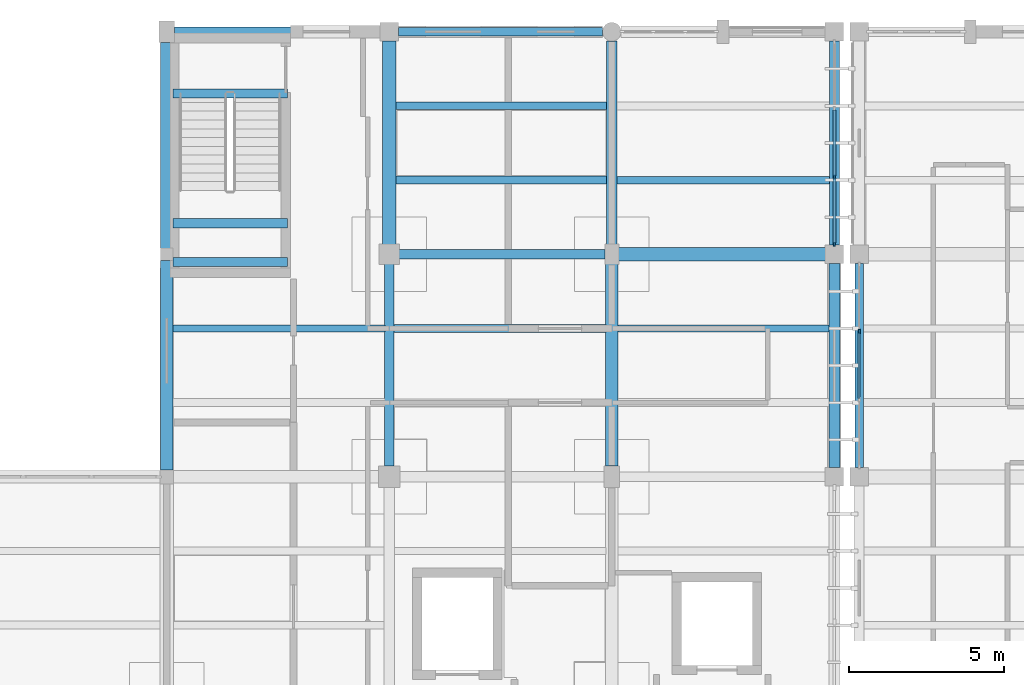
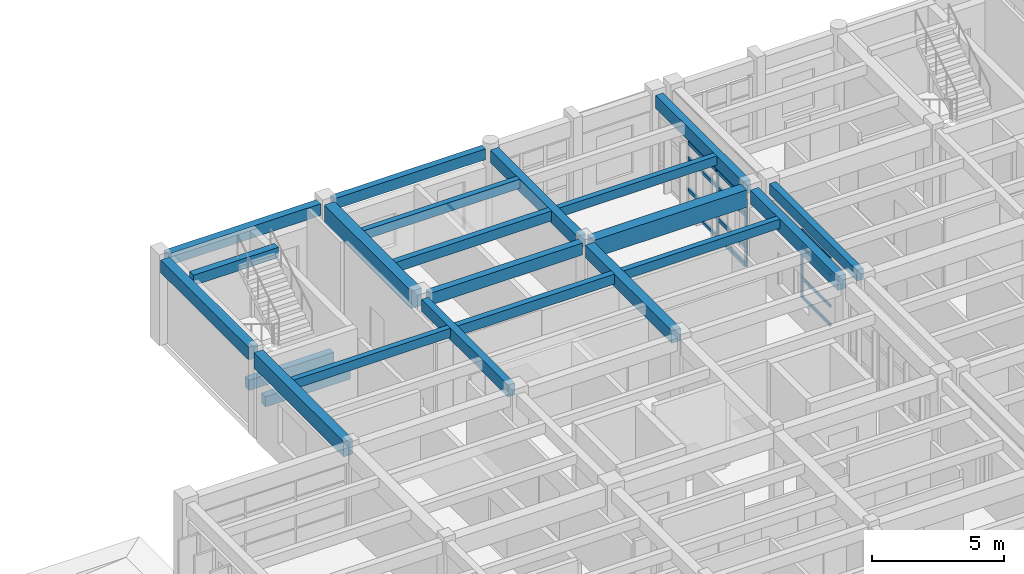
# One storey, part 22 of 100: 22 beams, 15 members, 2 elements without a shape of their own.
"""IFC4 building model written with IfcOpenShell, lengths in metres."""

from ifc_helpers import new_model, si_unit, direction, frame, origin, origin_2d, place, context, subcontext, project, spatial, rectangle, extrude, material, material_profile, profile_set, type_object, element, aggregate, save


model = new_model("IFC4")

# Units and contexts
model_context = context("Model", 3, precision=1e-05, world=origin(), true_north=direction((0.0, 1.0)))
body_context = subcontext(model_context, "Body", "Model", "MODEL_VIEW")
ifc_project = project(units=[si_unit("LENGTHUNIT", "METRE"), si_unit("AREAUNIT", "SQUARE_METRE"), si_unit("VOLUMEUNIT", "CUBIC_METRE"), si_unit("PLANEANGLEUNIT", "RADIAN"), si_unit("MASSUNIT", "GRAM", prefix="KILO")], contexts=[model_context])

# Site, building, storey
site_placement = place(None, origin())
site = spatial("IfcSite", under=ifc_project, at=site_placement, CompositionType="ELEMENT")
building_placement = place(site_placement, origin())
building = spatial("IfcBuilding", under=site, at=building_placement, Name="Steenspoor Specialist Clinic", CompositionType="ELEMENT")
storey_placement = place(building_placement, frame((0.0, 0.0, 9.0)))
storey = spatial("IfcBuildingStorey", under=building, at=storey_placement, Name="L02", CompositionType="ELEMENT", Elevation=9.0)

# Beams
ifc_material_1 = material(Name="Concrete C35/45", Category="concrete")
ifc_material_profile_1 = material_profile(ifc_material_1, rectangle(XDim=0.300048828125, YDim=0.47998046875, at=origin_2d()), Name="RC-BM-300X480")
ifc_profile_set_1 = profile_set([ifc_material_profile_1], Name="Concrete C35/45")
beam_type_1 = type_object("IfcBeamType", Name="BM-RC-300X480", PredefinedType="BEAM", material=ifc_profile_set_1)
for number, where, z_axis, x_axis, name in (
    (1, (30.199951171875, 102.14990234375, 1.659912109375), (1.0, 0.0, 0.0), (0.0, 1.0, 0.0), "Stair Mid-Landing Bearer 1 ST-V5A L02"),
    (2, (30.199951171875, 100.89990234375, 1.659912109375), (1.0, 0.0, 0.0), (0.0, 1.0, 0.0), "Stair Mid-Landing Bearer 2 ST-V5A L02"),
    (3, (30.199951171875, 106.35009765625, 3.9599609375), (1.0, 0.0, 0.0), (0.0, 1.0, 0.0), "Stair Well Trimmer Beam ST-V5A L02"),
):
    element("IfcBeam", number, at=place(storey_placement, frame(where, z_axis=z_axis, x_axis=x_axis)), inside=storey, type_object=beam_type_1, Name=name, PredefinedType="BEAM", context=body_context, shape_type="SweptSolid", body=[
        extrude(rectangle(XDim=0.300048828125, YDim=0.47998046875, at=origin_2d()), origin(), (0.0, 0.0, 1.0), 3.699951171875),
    ])
ifc_material_profile_2 = material_profile(ifc_material_1, rectangle(XDim=0.300048828125, YDim=0.550048828125, at=origin_2d()), Name="RC-BM-300X550")
ifc_profile_set_2 = profile_set([ifc_material_profile_2], Name="Concrete C35/45")
beam_type_2 = type_object("IfcBeamType", Name="BM-RC-300X550", PredefinedType="BEAM", material=ifc_profile_set_2)
beam_1_placement = place(storey_placement, frame((37.52001953125, 101.14990234375, 3.675048828125), z_axis=(1.0, 0.0, 0.0), x_axis=(0.0, 1.0, 0.0)))
element("IfcBeam", 4, at=beam_1_placement, inside=storey, type_object=beam_type_2, Name="BM-V5-L02-X1265", PredefinedType="BEAM", context=body_context, shape_type="SweptSolid", body=[
    extrude(rectangle(XDim=0.300048828125, YDim=0.550048828125, at=origin_2d()), origin(), (0.0, 0.0, 1.0), 6.659912109375),
])
beam_2_placement = place(storey_placement, frame((37.199951171875, 94.294921875, 3.675048828125), z_axis=(0.0, 1.0, 0.0), x_axis=(-1.0, 0.0, 0.0)))
element("IfcBeam", 5, at=beam_2_placement, inside=storey, type_object=beam_type_2, Name="BM-V5-L02-Y1284", PredefinedType="BEAM", context=body_context, shape_type="SweptSolid", body=[
    extrude(rectangle(XDim=0.300048828125, YDim=0.550048828125, at=origin_2d()), origin(), (0.0, 0.0, 1.0), 6.53515625),
])
ifc_material_profile_3 = material_profile(ifc_material_1, rectangle(XDim=0.35009765625, YDim=0.580078125, at=origin_2d()), Name="RC-BM-350X580")
ifc_profile_set_3 = profile_set([ifc_material_profile_3], Name="Concrete C35/45")
beam_type_3 = type_object("IfcBeamType", Name="BM-RC-350X580", PredefinedType="BEAM", material=ifc_profile_set_3)
beam_3_placement = place(storey_placement, frame((44.39990234375, 101.469970703125, 3.659912109375), z_axis=(0.0, 1.0, 0.0), x_axis=(-1.0, 0.0, 0.0)))
element("IfcBeam", 6, at=beam_3_placement, inside=storey, type_object=beam_type_3, Name="BM-V5-L02-Y1291", PredefinedType="BEAM", context=body_context, shape_type="SweptSolid", body=[
    extrude(rectangle(XDim=0.35009765625, YDim=0.580078125, at=origin_2d()), origin(), (0.0, 0.0, 1.0), 6.5849609375),
])
ifc_material_profile_4 = material_profile(ifc_material_1, rectangle(XDim=0.39990234375, YDim=0.580078125, at=origin_2d()), Name="RC-BM-400X580")
ifc_profile_set_4 = profile_set([ifc_material_profile_4], Name="Concrete C35/45")
beam_type_4 = type_object("IfcBeamType", Name="BM-RC-400X580", PredefinedType="BEAM", material=ifc_profile_set_4)
beam_4_placement = place(storey_placement, frame((30.0, 101.344970703125, 3.659912109375), z_axis=(0.0, 1.0, 0.0), x_axis=(-1.0, 0.0, 0.0)))
element("IfcBeam", 7, at=beam_4_placement, inside=storey, type_object=beam_type_4, Name="BM-V5-L02-Y1279", PredefinedType="BEAM", context=body_context, shape_type="SweptSolid", body=[
    extrude(rectangle(XDim=0.39990234375, YDim=0.580078125, at=origin_2d()), origin(), (0.0, 0.0, 1.0), 6.659912109375),
])
beam_5_placement = place(storey_placement, frame((44.39990234375, 94.294921875, 3.659912109375), z_axis=(0.0, 1.0, 0.0), x_axis=(-1.0, 0.0, 0.0)))
element("IfcBeam", 8, at=beam_5_placement, inside=storey, type_object=beam_type_4, Name="BM-V5-L02-Y1290", PredefinedType="BEAM", context=body_context, shape_type="SweptSolid", body=[
    extrude(rectangle(XDim=0.39990234375, YDim=0.580078125, at=origin_2d()), origin(), (0.0, 0.0, 1.0), 6.53515625),
])
ifc_material_profile_5 = material_profile(ifc_material_1, rectangle(XDim=0.39990234375, YDim=0.699951171875, at=origin_2d()), Name="RC-BM-400X700")
ifc_profile_set_5 = profile_set([ifc_material_profile_5], Name="Concrete C35/45")
beam_type_5 = type_object("IfcBeamType", Name="BM-RC-400X700", PredefinedType="BEAM", material=ifc_profile_set_5)
beam_6_placement = place(storey_placement, frame((30.0, 94.169921875, 3.60009765625), z_axis=(0.0, 1.0, 0.0), x_axis=(-1.0, 0.0, 0.0)))
element("IfcBeam", 9, at=beam_6_placement, inside=storey, type_object=beam_type_5, Name="BM-V5-L02-Y1278", PredefinedType="BEAM", context=body_context, shape_type="SweptSolid", body=[
    extrude(rectangle(XDim=0.39990234375, YDim=0.699951171875, at=origin_2d()), origin(), (0.0, 0.0, 1.0), 6.78515625),
])
ifc_material_profile_6 = material_profile(ifc_material_1, rectangle(XDim=0.449951171875, YDim=0.800048828125, at=origin_2d()), Name="RC-BM-450X800")
ifc_profile_set_6 = profile_set([ifc_material_profile_6], Name="Concrete C35/45")
beam_type_6 = type_object("IfcBeamType", Name="BM-RC-450X800", PredefinedType="BEAM", material=ifc_profile_set_6)
beam_7_placement = place(storey_placement, frame((44.6201171875, 101.14990234375, 3.550048828125), z_axis=(1.0, 0.0, 0.0), x_axis=(0.0, 1.0, 0.0)))
element("IfcBeam", 10, at=beam_7_placement, inside=storey, type_object=beam_type_6, Name="BM-V5-L02-X1266", PredefinedType="BEAM", context=body_context, shape_type="SweptSolid", body=[
    extrude(rectangle(XDim=0.449951171875, YDim=0.800048828125, at=origin_2d()), origin(), (0.0, 0.0, 1.0), 6.684814453125),
])
beam_8_placement = place(storey_placement, frame((37.199951171875, 101.469970703125, 3.550048828125), z_axis=(0.0, 1.0, 0.0), x_axis=(-1.0, 0.0, 0.0)))
element("IfcBeam", 11, at=beam_8_placement, inside=storey, type_object=beam_type_6, Name="BM-V5-L02-Y1285", PredefinedType="BEAM", context=body_context, shape_type="SweptSolid", body=[
    extrude(rectangle(XDim=0.449951171875, YDim=0.800048828125, at=origin_2d()), origin(), (0.0, 0.0, 1.0), 6.5849609375),
])

# Curtain wall, member
ifc_material_2 = material(Name="Thermally broken aluminium and low-emissivity glass", Category="aluminium")
curtain_wall_type = type_object("IfcCurtainWallType", Name="CW-TYP-650X355", PredefinedType="USERDEFINED", material=ifc_material_2)
curtain_wall_1_placement = place(storey_placement, origin())
curtain_wall_1 = element("IfcCurtainWall", 12, at=curtain_wall_1_placement, inside=storey, type_object=curtain_wall_type, Name="Unitised Curtain Wall CW-V4-L02-082", ObjectType="UNITISED GLAZING", PredefinedType="USERDEFINED")
ifc_material_3 = material(Name="Thermally broken aluminium 6063-T6", Category="aluminium")
ifc_material_profile_7 = material_profile(ifc_material_3, rectangle(XDim=0.06005859375, YDim=0.135009765625, at=origin_2d()), Name="CWM-60X135")
ifc_profile_set_7 = profile_set([ifc_material_profile_7], Name="Thermally broken aluminium 6063-T6")
member_type_1 = type_object("IfcMemberType", Name="CW-MULL-60X135", PredefinedType="MULLION", material=ifc_profile_set_7)
member_1_placement = place(storey_placement, frame((52.39990234375, 98.64990234375, 0.0), z_axis=(0.0, 0.0, 1.0), x_axis=(-1.0, 0.0, 0.0)))
member_1 = element("IfcMember", 13, at=member_1_placement, type_object=member_type_1, Name="CW-10 mullion 3", PredefinedType="MULLION", context=body_context, shape_type="SweptSolid", body=[
    extrude(rectangle(XDim=0.06005859375, YDim=0.135009765625, at=origin_2d()), origin(), (0.0, 0.0, 1.0), 3.1298828125),
])

# Curtain wall, members
curtain_wall_2_placement = place(storey_placement, origin())
curtain_wall_2 = element("IfcCurtainWall", 14, at=curtain_wall_2_placement, inside=storey, type_object=curtain_wall_type, Name="Unitised Curtain Wall CW-V5-L02-154", ObjectType="UNITISED GLAZING", PredefinedType="USERDEFINED")
member_2_placement = place(storey_placement, frame((51.60009765625, 103.64990234375, 0.0), z_axis=(0.0, 0.0, 1.0), x_axis=(1.0, 0.0, 0.0)))
member_2 = element("IfcMember", 15, at=member_2_placement, type_object=member_type_1, Name="CW-10 mullion 3", PredefinedType="MULLION", context=body_context, shape_type="SweptSolid", body=[
    extrude(rectangle(XDim=0.06005859375, YDim=0.135009765625, at=origin_2d()), origin(), (0.0, 0.0, 1.0), 3.1298828125),
])
member_3_placement = place(storey_placement, frame((51.60009765625, 101.47998046875, 0.0), z_axis=(0.0, 0.0, 1.0), x_axis=(1.0, 0.0, 0.0)))
member_3 = element("IfcMember", 16, at=member_3_placement, type_object=member_type_1, Name="CW-10 mullion 4", PredefinedType="MULLION", context=body_context, shape_type="SweptSolid", body=[
    extrude(rectangle(XDim=0.06005859375, YDim=0.135009765625, at=origin_2d()), origin(), (0.0, 0.0, 1.0), 3.1298828125),
])

# Member
ifc_material_profile_8 = material_profile(ifc_material_3, rectangle(XDim=0.06494140625, YDim=0.1298828125, at=origin_2d()), Name="CWT-65X130")
ifc_profile_set_8 = profile_set([ifc_material_profile_8], Name="Thermally broken aluminium 6063-T6")
member_type_2 = type_object("IfcMemberType", Name="CW-TRAN-65X130", PredefinedType="USERDEFINED", material=ifc_profile_set_8)
member_4_placement = place(storey_placement, frame((52.39990234375, 96.47998046875, 0.032470703125), z_axis=(0.0, 1.0, 0.0), x_axis=(-1.0, 0.0, 0.0)))
member_4 = element("IfcMember", 17, at=member_4_placement, type_object=member_type_2, Name="CW-10 transom 2.1", ObjectType="TRANSOM", PredefinedType="USERDEFINED", context=body_context, shape_type="SweptSolid", body=[
    extrude(rectangle(XDim=0.06494140625, YDim=0.1298828125, at=origin_2d()), origin(), (0.0, 0.0, 1.0), 2.14013671875),
])

member_5_placement = place(storey_placement, frame((52.39990234375, 96.47998046875, 0.89990234375), z_axis=(0.0, 1.0, 0.0), x_axis=(-1.0, 0.0, 0.0)))
member_5 = element("IfcMember", 18, at=member_5_placement, type_object=member_type_2, Name="CW-10 transom 2.2", ObjectType="TRANSOM", PredefinedType="USERDEFINED", context=body_context, shape_type="SweptSolid", body=[
    extrude(rectangle(XDim=0.06494140625, YDim=0.1298828125, at=origin_2d()), origin(), (0.0, 0.0, 1.0), 2.14013671875),
])

member_6_placement = place(storey_placement, frame((52.39990234375, 96.47998046875, 2.35009765625), z_axis=(0.0, 1.0, 0.0), x_axis=(-1.0, 0.0, 0.0)))
member_6 = element("IfcMember", 19, at=member_6_placement, type_object=member_type_2, Name="CW-10 transom 2.3", ObjectType="TRANSOM", PredefinedType="USERDEFINED", context=body_context, shape_type="SweptSolid", body=[
    extrude(rectangle(XDim=0.06494140625, YDim=0.1298828125, at=origin_2d()), origin(), (0.0, 0.0, 1.0), 2.14013671875),
])

member_7_placement = place(storey_placement, frame((52.39990234375, 96.47998046875, 3.097412109375), z_axis=(0.0, 1.0, 0.0), x_axis=(-1.0, 0.0, 0.0)))
member_7 = element("IfcMember", 20, at=member_7_placement, type_object=member_type_2, Name="CW-10 transom 2.4", ObjectType="TRANSOM", PredefinedType="USERDEFINED", context=body_context, shape_type="SweptSolid", body=[
    extrude(rectangle(XDim=0.06494140625, YDim=0.1298828125, at=origin_2d()), origin(), (0.0, 0.0, 1.0), 2.14013671875),
])

aggregate(curtain_wall_1, [member_1, member_4, member_5, member_6, member_7])

ifc_material_profile_9 = material_profile(ifc_material_3, rectangle(XDim=0.090087890625, YDim=0.175048828125, at=origin_2d()), Name="CWT-90X175")
ifc_profile_set_9 = profile_set([ifc_material_profile_9], Name="Thermally broken aluminium 6063-T6")
member_type_3 = type_object("IfcMemberType", Name="CW-TRAN-90X175", PredefinedType="USERDEFINED", material=ifc_profile_set_9)
member_8_placement = place(storey_placement, frame((51.60009765625, 105.820068359375, 0.044921875), z_axis=(0.0, -1.0, 0.0), x_axis=(1.0, 0.0, 0.0)))
member_8 = element("IfcMember", 21, at=member_8_placement, type_object=member_type_3, Name="CW-10 transom 2.1", ObjectType="TRANSOM", PredefinedType="USERDEFINED", context=body_context, shape_type="SweptSolid", body=[
    extrude(rectangle(XDim=0.090087890625, YDim=0.175048828125, at=origin_2d()), origin(), (0.0, 0.0, 1.0), 2.14013671875),
])

member_9_placement = place(storey_placement, frame((51.60009765625, 105.820068359375, 0.89990234375), z_axis=(0.0, -1.0, 0.0), x_axis=(1.0, 0.0, 0.0)))
member_9 = element("IfcMember", 22, at=member_9_placement, type_object=member_type_3, Name="CW-10 transom 2.2", ObjectType="TRANSOM", PredefinedType="USERDEFINED", context=body_context, shape_type="SweptSolid", body=[
    extrude(rectangle(XDim=0.090087890625, YDim=0.175048828125, at=origin_2d()), origin(), (0.0, 0.0, 1.0), 2.14013671875),
])

member_10_placement = place(storey_placement, frame((51.60009765625, 105.820068359375, 2.35009765625), z_axis=(0.0, -1.0, 0.0), x_axis=(1.0, 0.0, 0.0)))
member_10 = element("IfcMember", 23, at=member_10_placement, type_object=member_type_3, Name="CW-10 transom 2.3", ObjectType="TRANSOM", PredefinedType="USERDEFINED", context=body_context, shape_type="SweptSolid", body=[
    extrude(rectangle(XDim=0.090087890625, YDim=0.175048828125, at=origin_2d()), origin(), (0.0, 0.0, 1.0), 2.14013671875),
])

member_11_placement = place(storey_placement, frame((51.60009765625, 105.820068359375, 3.0849609375), z_axis=(0.0, -1.0, 0.0), x_axis=(1.0, 0.0, 0.0)))
member_11 = element("IfcMember", 24, at=member_11_placement, type_object=member_type_3, Name="CW-10 transom 2.4", ObjectType="TRANSOM", PredefinedType="USERDEFINED", context=body_context, shape_type="SweptSolid", body=[
    extrude(rectangle(XDim=0.090087890625, YDim=0.175048828125, at=origin_2d()), origin(), (0.0, 0.0, 1.0), 2.14013671875),
])

member_12_placement = place(storey_placement, frame((51.60009765625, 103.6201171875, 0.044921875), z_axis=(0.0, -1.0, 0.0), x_axis=(1.0, 0.0, 0.0)))
member_12 = element("IfcMember", 25, at=member_12_placement, type_object=member_type_3, Name="CW-10 transom 3.1", ObjectType="TRANSOM", PredefinedType="USERDEFINED", context=body_context, shape_type="SweptSolid", body=[
    extrude(rectangle(XDim=0.090087890625, YDim=0.175048828125, at=origin_2d()), origin(), (0.0, 0.0, 1.0), 2.110107421875),
])

member_13_placement = place(storey_placement, frame((51.60009765625, 103.6201171875, 0.89990234375), z_axis=(0.0, -1.0, 0.0), x_axis=(1.0, 0.0, 0.0)))
member_13 = element("IfcMember", 26, at=member_13_placement, type_object=member_type_3, Name="CW-10 transom 3.2", ObjectType="TRANSOM", PredefinedType="USERDEFINED", context=body_context, shape_type="SweptSolid", body=[
    extrude(rectangle(XDim=0.090087890625, YDim=0.175048828125, at=origin_2d()), origin(), (0.0, 0.0, 1.0), 2.110107421875),
])

member_14_placement = place(storey_placement, frame((51.60009765625, 103.6201171875, 2.35009765625), z_axis=(0.0, -1.0, 0.0), x_axis=(1.0, 0.0, 0.0)))
member_14 = element("IfcMember", 27, at=member_14_placement, type_object=member_type_3, Name="CW-10 transom 3.3", ObjectType="TRANSOM", PredefinedType="USERDEFINED", context=body_context, shape_type="SweptSolid", body=[
    extrude(rectangle(XDim=0.090087890625, YDim=0.175048828125, at=origin_2d()), origin(), (0.0, 0.0, 1.0), 2.110107421875),
])

member_15_placement = place(storey_placement, frame((51.60009765625, 103.6201171875, 3.0849609375), z_axis=(0.0, -1.0, 0.0), x_axis=(1.0, 0.0, 0.0)))
member_15 = element("IfcMember", 28, at=member_15_placement, type_object=member_type_3, Name="CW-10 transom 3.4", ObjectType="TRANSOM", PredefinedType="USERDEFINED", context=body_context, shape_type="SweptSolid", body=[
    extrude(rectangle(XDim=0.090087890625, YDim=0.175048828125, at=origin_2d()), origin(), (0.0, 0.0, 1.0), 2.110107421875),
])

aggregate(curtain_wall_2, [member_2, member_3, member_8, member_9, member_10, member_11, member_12, member_13, member_14, member_15])

# Beams
ifc_material_profile_10 = material_profile(ifc_material_1, rectangle(XDim=0.239990234375, YDim=0.419921875, at=origin_2d()), Name="RC-JT-240X420")
ifc_profile_set_10 = profile_set([ifc_material_profile_10], Name="Concrete C35/45")
beam_type_7 = type_object("IfcBeamType", Name="JT-RC-240X420", PredefinedType="JOIST", material=ifc_profile_set_10)
beam_9_placement = place(storey_placement, frame((30.195068359375, 98.75, 3.739990234375), z_axis=(1.0, 0.0, 0.0), x_axis=(0.0, 1.0, 0.0)))
element("IfcBeam", 29, at=beam_9_placement, inside=storey, type_object=beam_type_7, Name="JT-V5-L02-1313", PredefinedType="JOIST", context=body_context, shape_type="SweptSolid", body=[
    extrude(rectangle(XDim=0.239990234375, YDim=0.419921875, at=origin_2d()), origin(), (0.0, 0.0, 1.0), 6.85986328125),
])
beam_10_placement = place(storey_placement, frame((37.419921875, 105.949951171875, 3.739990234375), z_axis=(1.0, 0.0, 0.0), x_axis=(0.0, 1.0, 0.0)))
element("IfcBeam", 30, at=beam_10_placement, inside=storey, type_object=beam_type_7, Name="JT-V5-L02-1324", PredefinedType="JOIST", context=body_context, shape_type="SweptSolid", body=[
    extrude(rectangle(XDim=0.239990234375, YDim=0.419921875, at=origin_2d()), origin(), (0.0, 0.0, 1.0), 6.81005859375),
])
beam_11_placement = place(storey_placement, frame((44.594970703125, 98.75, 3.739990234375), z_axis=(1.0, 0.0, 0.0), x_axis=(0.0, 1.0, 0.0)))
element("IfcBeam", 31, at=beam_11_placement, inside=storey, type_object=beam_type_7, Name="JT-V5-L02-1333", PredefinedType="JOIST", context=body_context, shape_type="SweptSolid", body=[
    extrude(rectangle(XDim=0.239990234375, YDim=0.419921875, at=origin_2d()), origin(), (0.0, 0.0, 1.0), 6.830078125),
])
beam_12_placement = place(storey_placement, frame((44.570068359375, 103.550048828125, 3.739990234375), z_axis=(1.0, 0.0, 0.0), x_axis=(0.0, 1.0, 0.0)))
element("IfcBeam", 32, at=beam_12_placement, inside=storey, type_object=beam_type_7, Name="JT-V5-L02-1334", PredefinedType="JOIST", context=body_context, shape_type="SweptSolid", body=[
    extrude(rectangle(XDim=0.239990234375, YDim=0.419921875, at=origin_2d()), origin(), (0.0, 0.0, 1.0), 6.875),
])
ifc_material_profile_11 = material_profile(ifc_material_1, rectangle(XDim=0.260009765625, YDim=0.4599609375, at=origin_2d()), Name="RC-JT-260X460")
ifc_profile_set_11 = profile_set([ifc_material_profile_11], Name="Concrete C35/45")
beam_type_8 = type_object("IfcBeamType", Name="JT-RC-260X460", PredefinedType="JOIST", material=ifc_profile_set_11)
beam_13_placement = place(storey_placement, frame((37.344970703125, 98.75, 3.719970703125), z_axis=(1.0, 0.0, 0.0), x_axis=(0.0, 1.0, 0.0)))
element("IfcBeam", 33, at=beam_13_placement, inside=storey, type_object=beam_type_8, Name="JT-V5-L02-1322", PredefinedType="JOIST", context=body_context, shape_type="SweptSolid", body=[
    extrude(rectangle(XDim=0.260009765625, YDim=0.4599609375, at=origin_2d()), origin(), (0.0, 0.0, 1.0), 6.860107421875),
])
beam_14_placement = place(storey_placement, frame((37.419921875, 103.550048828125, 3.719970703125), z_axis=(1.0, 0.0, 0.0), x_axis=(0.0, 1.0, 0.0)))
element("IfcBeam", 34, at=beam_14_placement, inside=storey, type_object=beam_type_8, Name="JT-V5-L02-1323", PredefinedType="JOIST", context=body_context, shape_type="SweptSolid", body=[
    extrude(rectangle(XDim=0.260009765625, YDim=0.4599609375, at=origin_2d()), origin(), (0.0, 0.0, 1.0), 6.81005859375),
])
ifc_material_profile_12 = material_profile(ifc_material_1, rectangle(XDim=0.280029296875, YDim=0.5, at=origin_2d()), Name="RC-SP-280X500")
ifc_profile_set_12 = profile_set([ifc_material_profile_12], Name="Concrete C35/45")
beam_type_9 = type_object("IfcBeamType", Name="SP-RC-280X500", PredefinedType="SPANDREL", material=ifc_profile_set_12)
for number, where, z_axis, x_axis, name in (
    (35, (52.39990234375, 94.2451171875, 3.699951171875), (0.0, 1.0, 0.0), (-1.0, 0.0, 0.0), "BM-V4-L02-Y0689"),
    (36, (37.4951171875, 108.35009765625, 3.699951171875), (1.0, 0.0, 0.0), (0.0, 1.0, 0.0), "BM-V5-L02-X1268"),
):
    element("IfcBeam", number, at=place(storey_placement, frame(where, z_axis=z_axis, x_axis=x_axis)), inside=storey, type_object=beam_type_9, Name=name, PredefinedType="SPANDREL", context=body_context, shape_type="SweptSolid", body=[
        extrude(rectangle(XDim=0.280029296875, YDim=0.5, at=origin_2d()), origin(), (0.0, 0.0, 1.0), 6.60986328125),
    ])
ifc_material_profile_13 = material_profile(ifc_material_1, rectangle(XDim=0.320068359375, YDim=0.5400390625, at=origin_2d()), Name="RC-SP-320X540")
ifc_profile_set_13 = profile_set([ifc_material_profile_13], Name="Concrete C35/45")
beam_type_10 = type_object("IfcBeamType", Name="SP-RC-320X540", PredefinedType="SPANDREL", material=ifc_profile_set_13)
beam_15_placement = place(storey_placement, frame((30.2451171875, 108.35009765625, 3.679931640625), z_axis=(1.0, 0.0, 0.0), x_axis=(0.0, 1.0, 0.0)))
element("IfcBeam", 37, at=beam_15_placement, inside=storey, type_object=beam_type_10, Name="BM-V5-L02-X1267", PredefinedType="SPANDREL", context=body_context, shape_type="SweptSolid", body=[
    extrude(rectangle(XDim=0.320068359375, YDim=0.5400390625, at=origin_2d()), origin(), (0.0, 0.0, 1.0), 6.659912109375),
])
ifc_material_profile_14 = material_profile(ifc_material_1, rectangle(XDim=0.320068359375, YDim=0.60009765625, at=origin_2d()), Name="RC-SP-320X600")
ifc_profile_set_14 = profile_set([ifc_material_profile_14], Name="Concrete C35/45")
beam_type_11 = type_object("IfcBeamType", Name="SP-RC-320X600", PredefinedType="SPANDREL", material=ifc_profile_set_14)
beam_16_placement = place(storey_placement, frame((51.60009765625, 101.445068359375, 3.64990234375), z_axis=(0.0, 1.0, 0.0), x_axis=(-1.0, 0.0, 0.0)))
element("IfcBeam", 38, at=beam_16_placement, inside=storey, type_object=beam_type_11, Name="BM-V5-L02-Y1297", PredefinedType="SPANDREL", context=body_context, shape_type="SweptSolid", body=[
    extrude(rectangle(XDim=0.320068359375, YDim=0.60009765625, at=origin_2d()), origin(), (0.0, 0.0, 1.0), 6.60986328125),
])
ifc_material_profile_15 = material_profile(ifc_material_1, rectangle(XDim=0.360107421875, YDim=0.639892578125, at=origin_2d()), Name="RC-SP-360X640")
ifc_profile_set_15 = profile_set([ifc_material_profile_15], Name="Concrete C35/45")
beam_type_12 = type_object("IfcBeamType", Name="SP-RC-360X640", PredefinedType="SPANDREL", material=ifc_profile_set_15)
beam_17_placement = place(storey_placement, frame((51.60009765625, 94.2451171875, 3.6298828125), z_axis=(0.0, 1.0, 0.0), x_axis=(-1.0, 0.0, 0.0)))
element("IfcBeam", 39, at=beam_17_placement, inside=storey, type_object=beam_type_12, Name="BM-V5-L02-Y1296", PredefinedType="SPANDREL", context=body_context, shape_type="SweptSolid", body=[
    extrude(rectangle(XDim=0.360107421875, YDim=0.639892578125, at=origin_2d()), origin(), (0.0, 0.0, 1.0), 6.60986328125),
])

save(model, "model.ifc")
